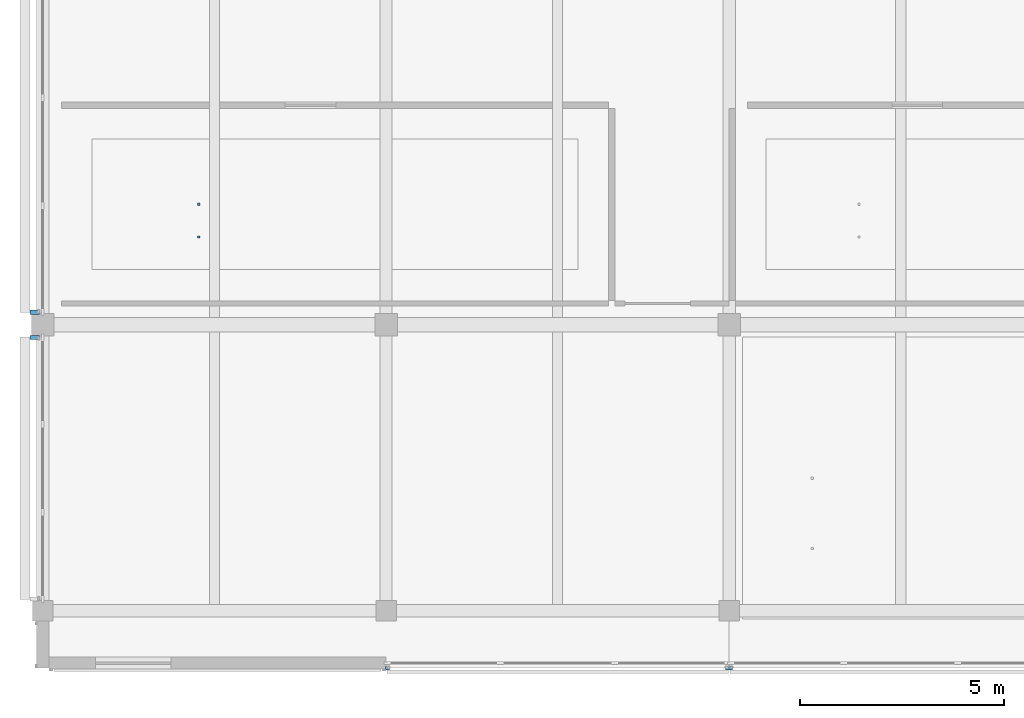
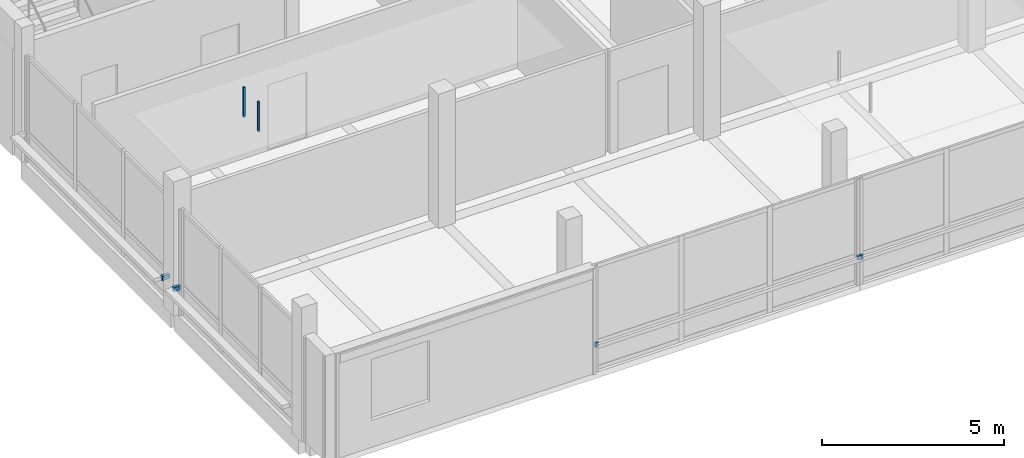
# One storey, part 9 of 20: 7 discrete accessories.
"""IFC4 building model written with IfcOpenShell, lengths in metres."""

from ifc_helpers import new_model, si_unit, direction, frame, origin, origin_2d, place, context, subcontext, project, spatial, rectangle, extrude, material, type_object, element, save


model = new_model("IFC4")

# Units and contexts
model_context = context("Model", 3, precision=1e-05, world=origin(), true_north=direction((0.0, 1.0)))
body_context = subcontext(model_context, "Body", "Model", "MODEL_VIEW")
ifc_project = project(units=[si_unit("LENGTHUNIT", "METRE"), si_unit("AREAUNIT", "SQUARE_METRE"), si_unit("VOLUMEUNIT", "CUBIC_METRE"), si_unit("PLANEANGLEUNIT", "RADIAN"), si_unit("MASSUNIT", "GRAM", prefix="KILO")], contexts=[model_context])

# Site, building, storey
site_placement = place(None, origin())
site = spatial("IfcSite", under=ifc_project, at=site_placement, CompositionType="ELEMENT")
building_placement = place(site_placement, origin())
building = spatial("IfcBuilding", under=site, at=building_placement, Name="Telukmera Botanical Conservatory", CompositionType="ELEMENT")
storey_placement = place(building_placement, frame((0.0, 0.0, 69.0)))
storey = spatial("IfcBuildingStorey", under=building, at=storey_placement, Name="L15", CompositionType="ELEMENT", Elevation=69.0)

# Discrete accessories
ifc_material = material(Name="Steel S355", Category="steel")
discrete_accessory_type_1 = type_object("IfcDiscreteAccessoryType", Name="ACC-CEIL-HGR", PredefinedType="BRACKET", material=ifc_material)
for number, where, z_axis, x_axis, name in (
    (1, (62.617919921875, 19.75, 3.31005859375), (0.0, 0.0, 1.0), (1.0, 0.0, 0.0), "L15 Suspended Ceiling Hanger Rod 024-1"),
    (2, (62.617919921875, 20.550048828125, 3.31005859375), (0.0, 0.0, 1.0), (1.0, 0.0, 0.0), "L15 Suspended Ceiling Hanger Rod 024-2"),
):
    element("IfcDiscreteAccessory", number, at=place(storey_placement, frame(where, z_axis=z_axis, x_axis=x_axis)), inside=storey, type_object=discrete_accessory_type_1, Name=name, PredefinedType="BRACKET", context=body_context, shape_type="SweptSolid", body=[
        extrude(rectangle(XDim=0.06005859375, YDim=0.06005859375, at=origin_2d()), origin(), (0.0, 0.0, 1.0), 0.9951171875),
    ])
discrete_accessory_type_2 = type_object("IfcDiscreteAccessoryType", Name="Structural Steel Facade Outrigger Fin Bracket", PredefinedType="BRACKET", material=ifc_material)
for number, where, z_axis, x_axis, name in (
    (3, (67.234619140625, 9.195068359375, 0.8798828125), (0.0, 0.0, 1.0), (1.0, 0.0, 0.0), "Facade Outrigger Bracket V4:L15:S2 A"),
    (4, (75.5654296875, 9.195068359375, 0.8798828125), (0.0, 0.0, 1.0), (1.0, 0.0, 0.0), "Facade Outrigger Bracket V4:L15:S2 B"),
    (5, (75.634521484375, 9.195068359375, 0.8798828125), (0.0, 0.0, 1.0), (1.0, 0.0, 0.0), "Facade Outrigger Bracket V4:L15:S3 A"),
):
    element("IfcDiscreteAccessory", number, at=place(storey_placement, frame(where, z_axis=z_axis, x_axis=x_axis)), inside=storey, type_object=discrete_accessory_type_2, Name=name, PredefinedType="BRACKET", context=body_context, shape_type="SweptSolid", body=[
        extrude(rectangle(XDim=0.10009765625, YDim=0.090087890625, at=origin_2d()), origin(), (0.0, 0.0, 1.0), 0.139892578125),
    ])
for number, where, z_axis, x_axis, name in (
    (6, (58.60009765625, 17.29052734375, 0.8798828125), (0.0, 0.0, 1.0), (0.0, 1.0, 0.0), "Facade Outrigger Bracket V4:L15:W1 B"),
    (7, (58.60009765625, 17.909423828125, 0.8798828125), (0.0, 0.0, 1.0), (0.0, 1.0, 0.0), "Facade Outrigger Bracket V4:L15:W2 A"),
):
    element("IfcDiscreteAccessory", number, at=place(storey_placement, frame(where, z_axis=z_axis, x_axis=x_axis)), inside=storey, type_object=discrete_accessory_type_2, Name=name, PredefinedType="BRACKET", context=body_context, shape_type="SweptSolid", body=[
        extrude(rectangle(XDim=0.10009765625, YDim=0.239990234375, at=origin_2d()), origin(), (0.0, 0.0, 1.0), 0.139892578125),
    ])

save(model, "model.ifc")
